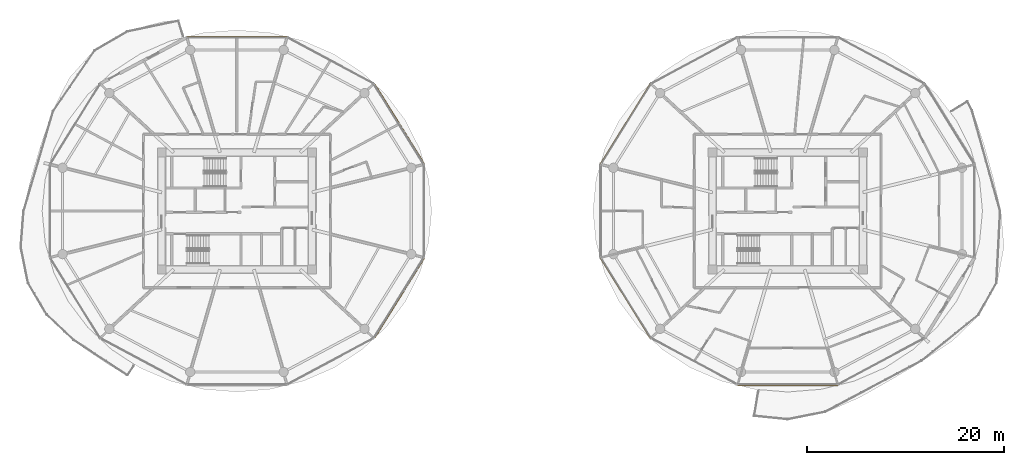
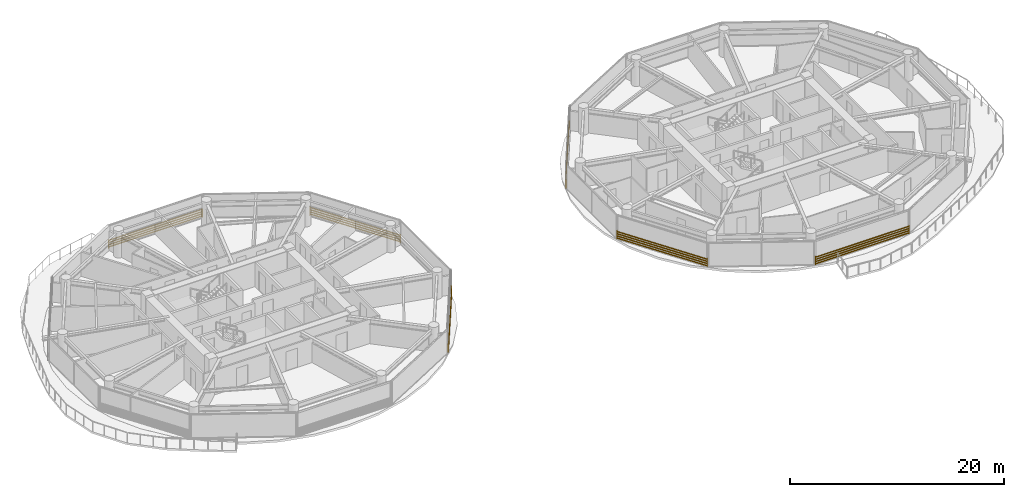
# One storey, part 25 of 27: 6 shading devices.
"""IFC4 building model written with IfcOpenShell, lengths in metres."""

from ifc_helpers import new_model, si_unit, direction, frame, origin, origin_2d, place, context, subcontext, project, spatial, rectangle, extrude, source, transform, mapped, material, type_object, type_shapes, element, save


model = new_model("IFC4")

# Units and contexts
model_context = context("Model", 3, precision=1e-05, world=origin(), true_north=direction((0.0, 1.0)))
body_context = subcontext(model_context, "Body", "Model", "MODEL_VIEW")
ifc_project = project(units=[si_unit("LENGTHUNIT", "METRE"), si_unit("AREAUNIT", "SQUARE_METRE"), si_unit("VOLUMEUNIT", "CUBIC_METRE"), si_unit("PLANEANGLEUNIT", "RADIAN"), si_unit("MASSUNIT", "GRAM", prefix="KILO")], contexts=[model_context])

# Site, building, storey
site_placement = place(None, origin())
site = spatial("IfcSite", under=ifc_project, at=site_placement, CompositionType="ELEMENT")
building_placement = place(site_placement, origin())
building = spatial("IfcBuilding", under=site, at=building_placement, Name="Norrkilde Senior Care Towers", CompositionType="ELEMENT")
storey_placement = place(building_placement, frame((0.0, 0.0, 30.75)))
storey = spatial("IfcBuildingStorey", under=building, at=storey_placement, Name="L08", CompositionType="ELEMENT", Elevation=30.75)

# Shading devices
ifc_material = material(Name="Architectural Terracotta", Category="masonry")
shading_device_type = type_object("IfcShadingDeviceType", Name="Horizontal Terracotta Baguette Rack", PredefinedType="USERDEFINED", material=ifc_material)
shared_shape_1 = source(origin(), body_context, "Body", "SweptSolid", [
    extrude(rectangle(XDim=0.070068359375, YDim=0.110107421875, at=origin_2d()), frame((0.0, 0.090087890625, 0.125), z_axis=(1.0, 0.0, 0.0), x_axis=(0.0, 1.0, 0.0)), (0.0, 0.0, 1.0), 9.64892578125),
    extrude(rectangle(XDim=0.070068359375, YDim=0.110107421875, at=origin_2d()), frame((0.0, 0.090087890625, 0.375), z_axis=(1.0, 0.0, 0.0), x_axis=(0.0, 1.0, 0.0)), (0.0, 0.0, 1.0), 9.64892578125),
    extrude(rectangle(XDim=0.070068359375, YDim=0.110107421875, at=origin_2d()), frame((0.0, 0.090087890625, 0.625), z_axis=(1.0, 0.0, 0.0), x_axis=(0.0, 1.0, 0.0)), (0.0, 0.0, 1.0), 9.64892578125),
    extrude(rectangle(XDim=0.070068359375, YDim=0.110107421875, at=origin_2d()), frame((0.0, 0.090087890625, 0.875), z_axis=(1.0, 0.0, 0.0), x_axis=(0.0, 1.0, 0.0)), (0.0, 0.0, 1.0), 9.64892578125),
    extrude(rectangle(XDim=0.050048828125, YDim=0.1552734375, at=origin_2d()), frame((0.02490234375, 0.047607421875, 0.0)), (0.0, 0.0, 1.0), 1.0),
    extrude(rectangle(XDim=0.050048828125, YDim=0.1552734375, at=origin_2d()), frame((9.6240234375, 0.047607421875, 0.0)), (0.0, 0.0, 1.0), 1.0),
])
for number, where, z_axis, x_axis, name in (
    (1, (-14.084228515625, 12.926025390625, 0.080078125), (0.0, 0.0, 1.0), (0.527908506655, -0.849299124538, 0.0), "L08 Drum W Terracotta Baguette Screen 00"),
    (2, (-8.990478515625, -4.731201171875, 0.080078125), (0.0, 0.0, 1.0), (-0.527908506655, -0.849299124538, 0.0), "L08 Drum W Terracotta Baguette Screen 10"),
    (3, (8.990478515625, 4.731201171875, 0.080078125), (0.0, 0.0, 1.0), (0.527908506655, 0.849299124538, 0.0), "L08 Drum E Terracotta Baguette Screen 04"),
    (4, (14.084228515625, -12.926025390625, 0.080078125), (0.0, 0.0, 1.0), (-0.527908506655, 0.849299124538, 0.0), "L08 Drum E Terracotta Baguette Screen 06"),
):
    element("IfcShadingDevice", number, at=place(storey_placement, frame(where, z_axis=z_axis, x_axis=x_axis)), inside=storey, type_object=shading_device_type, Name=name, ObjectType="BAGUETTE", PredefinedType="USERDEFINED", context=body_context, shape_type="MappedRepresentation", body=[
        mapped(shared_shape_1, transform((0.0, 0.0, 0.0), x_axis=(1.0, 0.0, 0.0), y_axis=(0.0, 1.0, 0.0), z_axis=(0.0, 0.0, 1.0), scale=1.0)),
    ])
shared_shape_2 = source(origin(), body_context, "Body", "SweptSolid", [
    extrude(rectangle(XDim=0.070068359375, YDim=0.110107421875, at=origin_2d()), frame((0.0, 0.090087890625, 0.125), z_axis=(1.0, 0.0, 0.0), x_axis=(0.0, 1.0, 0.0)), (0.0, 0.0, 1.0), 10.18701171875),
    extrude(rectangle(XDim=0.070068359375, YDim=0.110107421875, at=origin_2d()), frame((0.0, 0.090087890625, 0.375), z_axis=(1.0, 0.0, 0.0), x_axis=(0.0, 1.0, 0.0)), (0.0, 0.0, 1.0), 10.18701171875),
    extrude(rectangle(XDim=0.070068359375, YDim=0.110107421875, at=origin_2d()), frame((0.0, 0.090087890625, 0.625), z_axis=(1.0, 0.0, 0.0), x_axis=(0.0, 1.0, 0.0)), (0.0, 0.0, 1.0), 10.18701171875),
    extrude(rectangle(XDim=0.070068359375, YDim=0.110107421875, at=origin_2d()), frame((0.0, 0.090087890625, 0.875), z_axis=(1.0, 0.0, 0.0), x_axis=(0.0, 1.0, 0.0)), (0.0, 0.0, 1.0), 10.18701171875),
    extrude(rectangle(XDim=0.050048828125, YDim=0.1552734375, at=origin_2d()), frame((0.02490234375, 0.047607421875, 0.0)), (0.0, 0.0, 1.0), 1.0),
    extrude(rectangle(XDim=0.050048828125, YDim=0.1552734375, at=origin_2d()), frame((10.162109375, 0.047607421875, 0.0)), (0.0, 0.0, 1.0), 1.0),
])
type_shapes(shading_device_type, [shared_shape_1, shared_shape_2])
for number, where, z_axis, x_axis, name in (
    (5, (-33.093505859375, 17.6572265625, 0.080078125), (0.0, 0.0, 1.0), (1.0, 0.0, 0.0), "L08 Drum W Terracotta Baguette Screen 02"),
    (6, (33.093505859375, -17.6572265625, 0.080078125), (0.0, 0.0, 1.0), (-1.0, 0.0, 0.0), "L08 Drum E Terracotta Baguette Screen 08"),
):
    element("IfcShadingDevice", number, at=place(storey_placement, frame(where, z_axis=z_axis, x_axis=x_axis)), inside=storey, type_object=shading_device_type, Name=name, ObjectType="BAGUETTE", PredefinedType="USERDEFINED", context=body_context, shape_type="MappedRepresentation", body=[
        mapped(shared_shape_2, transform((0.0, 0.0, 0.0), x_axis=(1.0, 0.0, 0.0), y_axis=(0.0, 1.0, 0.0), z_axis=(0.0, 0.0, 1.0), scale=1.0)),
    ])

save(model, "model.ifc")
